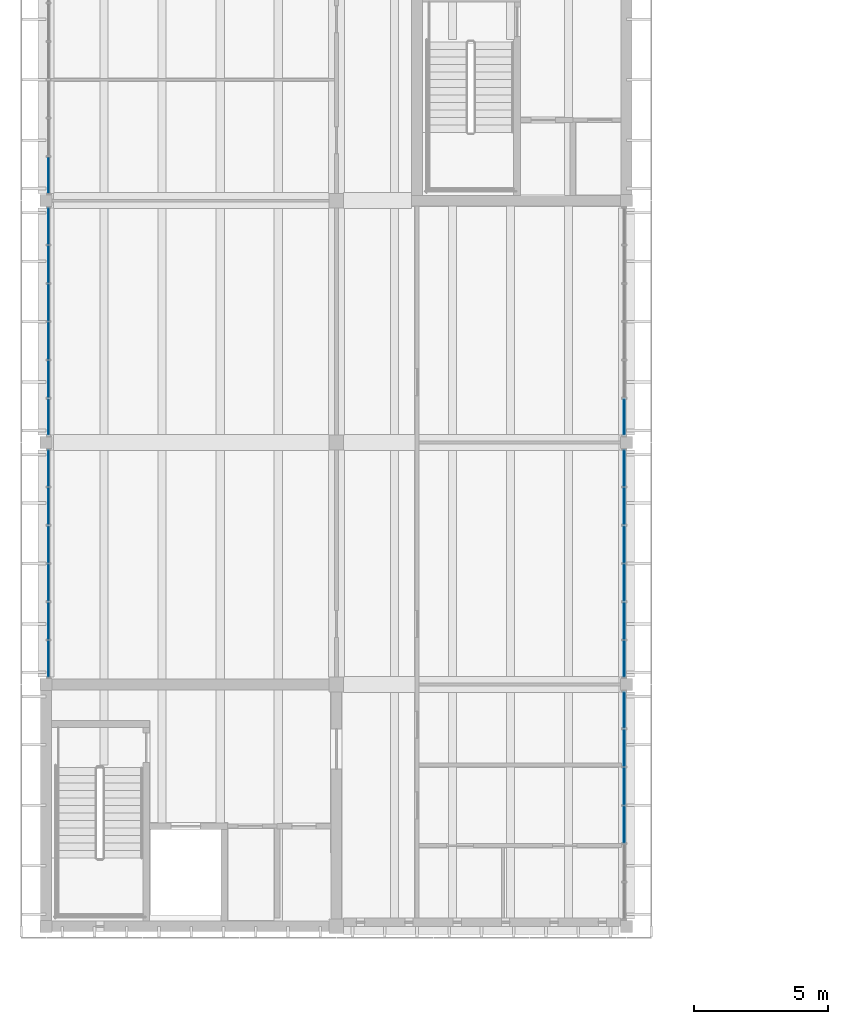
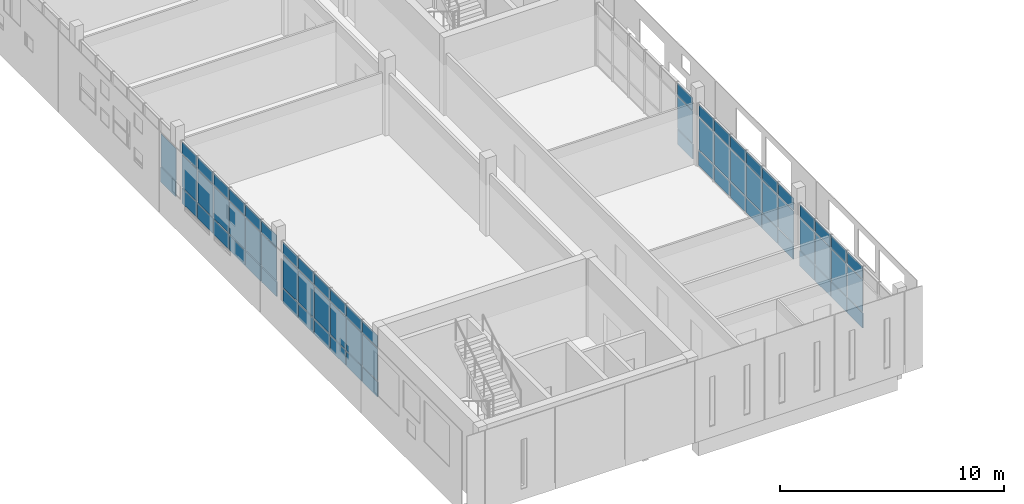
# One storey, part 23 of 50: 71 plates, 6 elements without a shape of their own.
"""IFC4 building model written with IfcOpenShell, lengths in metres."""

from ifc_helpers import new_model, si_unit, direction, frame, origin, origin_2d, place, context, subcontext, project, spatial, rectangle, extrude, material, layer, layer_set, type_object, element, aggregate, save


model = new_model("IFC4")

# Units and contexts
model_context = context("Model", 3, precision=1e-05, world=origin(), true_north=direction((0.0, 1.0)))
body_context = subcontext(model_context, "Body", "Model", "MODEL_VIEW")
ifc_project = project(units=[si_unit("LENGTHUNIT", "METRE"), si_unit("AREAUNIT", "SQUARE_METRE"), si_unit("VOLUMEUNIT", "CUBIC_METRE"), si_unit("PLANEANGLEUNIT", "RADIAN"), si_unit("MASSUNIT", "GRAM", prefix="KILO")], contexts=[model_context])

# Site, building, storey
site_placement = place(None, origin())
site = spatial("IfcSite", under=ifc_project, at=site_placement, CompositionType="ELEMENT")
building_placement = place(site_placement, origin())
building = spatial("IfcBuilding", under=site, at=building_placement, Name="Merrow Basin Faculty of Sciences", CompositionType="ELEMENT")
storey_placement = place(building_placement, frame((0.0, 0.0, 18.0)))
storey = spatial("IfcBuildingStorey", under=building, at=storey_placement, Name="L04", CompositionType="ELEMENT", Elevation=18.0)

# Curtain wall, plates
ifc_material_1 = material(Name="Aluminium alloy 6063", Category="aluminium")
curtain_wall_type = type_object("IfcCurtainWallType", Name="Bar unitised curtain wall 180", PredefinedType="NOTDEFINED", material=ifc_material_1)
curtain_wall_1_placement = place(storey_placement, origin())
curtain_wall_1 = element("IfcCurtainWall", 1, at=curtain_wall_1_placement, inside=storey, type_object=curtain_wall_type, Name="West curtain wall L04 1", PredefinedType="NOTDEFINED")
ifc_material_2 = material(Name="Insulated aluminium spandrel panel", Category="aluminium")
ifc_layer_1 = layer(ifc_material_2, 0.052001953125)
ifc_layer_set_1 = layer_set([ifc_layer_1], Name="Insulated spandrel panel 52")
plate_type_1 = type_object("IfcPlateType", Name="Insulated spandrel panel 52", PredefinedType="CURTAIN_PANEL", material=ifc_layer_set_1)
plate_1_placement = place(storey_placement, frame((0.090087890625, 70.952392578125, 0.06005859375), z_axis=(0.0, 0.0, 1.0), x_axis=(0.0, 1.0, 0.0)))
plate_1 = element("IfcPlate", 2, at=plate_1_placement, type_object=plate_type_1, Name="CW1 panel 1.1", PredefinedType="CURTAIN_PANEL", context=body_context, shape_type="SweptSolid", body=[
    extrude(rectangle(XDim=1.3349609375, YDim=0.052001953125, at=origin_2d()), origin(), (0.0, 0.0, 1.0), 0.81005859375),
])
plate_2_placement = place(storey_placement, frame((0.090087890625, 72.362548828125, 0.06005859375), z_axis=(0.0, 0.0, 1.0), x_axis=(0.0, 1.0, 0.0)))
plate_2 = element("IfcPlate", 3, at=plate_2_placement, type_object=plate_type_1, Name="CW1 panel 2.1", PredefinedType="CURTAIN_PANEL", context=body_context, shape_type="SweptSolid", body=[
    extrude(rectangle(XDim=1.364990234375, YDim=0.052001953125, at=origin_2d()), origin(), (0.0, 0.0, 1.0), 0.81005859375),
])
plate_3_placement = place(storey_placement, frame((0.090087890625, 73.78759765625, 0.06005859375), z_axis=(0.0, 0.0, 1.0), x_axis=(0.0, 1.0, 0.0)))
plate_3 = element("IfcPlate", 4, at=plate_3_placement, type_object=plate_type_1, Name="CW1 panel 3.1", PredefinedType="CURTAIN_PANEL", context=body_context, shape_type="SweptSolid", body=[
    extrude(rectangle(XDim=1.364990234375, YDim=0.052001953125, at=origin_2d()), origin(), (0.0, 0.0, 1.0), 0.81005859375),
])
plate_4_placement = place(storey_placement, frame((0.090087890625, 75.21240234375, 0.06005859375), z_axis=(0.0, 0.0, 1.0), x_axis=(0.0, 1.0, 0.0)))
plate_4 = element("IfcPlate", 5, at=plate_4_placement, type_object=plate_type_1, Name="CW1 panel 4.1", PredefinedType="CURTAIN_PANEL", context=body_context, shape_type="SweptSolid", body=[
    extrude(rectangle(XDim=1.364990234375, YDim=0.052001953125, at=origin_2d()), origin(), (0.0, 0.0, 1.0), 0.81005859375),
])
plate_5_placement = place(storey_placement, frame((0.090087890625, 76.637451171875, 0.06005859375), z_axis=(0.0, 0.0, 1.0), x_axis=(0.0, 1.0, 0.0)))
plate_5 = element("IfcPlate", 6, at=plate_5_placement, type_object=plate_type_1, Name="CW1 panel 5.1", PredefinedType="CURTAIN_PANEL", context=body_context, shape_type="SweptSolid", body=[
    extrude(rectangle(XDim=1.364990234375, YDim=0.052001953125, at=origin_2d()), origin(), (0.0, 0.0, 1.0), 0.81005859375),
])
plate_6_placement = place(storey_placement, frame((0.090087890625, 78.047607421875, 0.06005859375), z_axis=(0.0, 0.0, 1.0), x_axis=(0.0, 1.0, 0.0)))
plate_6 = element("IfcPlate", 7, at=plate_6_placement, type_object=plate_type_1, Name="CW1 panel 6.1", PredefinedType="CURTAIN_PANEL", context=body_context, shape_type="SweptSolid", body=[
    extrude(rectangle(XDim=1.3349609375, YDim=0.052001953125, at=origin_2d()), origin(), (0.0, 0.0, 1.0), 0.81005859375),
])

curtain_wall_2_placement = place(storey_placement, origin())
curtain_wall_2 = element("IfcCurtainWall", 8, at=curtain_wall_2_placement, inside=storey, type_object=curtain_wall_type, Name="West curtain wall L04 2", PredefinedType="NOTDEFINED")
plate_7_placement = place(storey_placement, frame((0.090087890625, 79.952392578125, 0.06005859375), z_axis=(0.0, 0.0, 1.0), x_axis=(0.0, 1.0, 0.0)))
plate_7 = element("IfcPlate", 9, at=plate_7_placement, type_object=plate_type_1, Name="CW1 panel 1.1", PredefinedType="CURTAIN_PANEL", context=body_context, shape_type="SweptSolid", body=[
    extrude(rectangle(XDim=1.3349609375, YDim=0.052001953125, at=origin_2d()), origin(), (0.0, 0.0, 1.0), 0.81005859375),
])
plate_8_placement = place(storey_placement, frame((0.090087890625, 81.362548828125, 0.06005859375), z_axis=(0.0, 0.0, 1.0), x_axis=(0.0, 1.0, 0.0)))
plate_8 = element("IfcPlate", 10, at=plate_8_placement, type_object=plate_type_1, Name="CW1 panel 2.1", PredefinedType="CURTAIN_PANEL", context=body_context, shape_type="SweptSolid", body=[
    extrude(rectangle(XDim=1.364990234375, YDim=0.052001953125, at=origin_2d()), origin(), (0.0, 0.0, 1.0), 0.81005859375),
])
plate_9_placement = place(storey_placement, frame((0.090087890625, 82.78759765625, 0.06005859375), z_axis=(0.0, 0.0, 1.0), x_axis=(0.0, 1.0, 0.0)))
plate_9 = element("IfcPlate", 11, at=plate_9_placement, type_object=plate_type_1, Name="CW1 panel 3.1", PredefinedType="CURTAIN_PANEL", context=body_context, shape_type="SweptSolid", body=[
    extrude(rectangle(XDim=1.364990234375, YDim=0.052001953125, at=origin_2d()), origin(), (0.0, 0.0, 1.0), 0.81005859375),
])
plate_10_placement = place(storey_placement, frame((0.090087890625, 84.21240234375, 0.06005859375), z_axis=(0.0, 0.0, 1.0), x_axis=(0.0, 1.0, 0.0)))
plate_10 = element("IfcPlate", 12, at=plate_10_placement, type_object=plate_type_1, Name="CW1 panel 4.1", PredefinedType="CURTAIN_PANEL", context=body_context, shape_type="SweptSolid", body=[
    extrude(rectangle(XDim=1.364990234375, YDim=0.052001953125, at=origin_2d()), origin(), (0.0, 0.0, 1.0), 0.81005859375),
])
plate_11_placement = place(storey_placement, frame((0.090087890625, 85.637451171875, 0.06005859375), z_axis=(0.0, 0.0, 1.0), x_axis=(0.0, 1.0, 0.0)))
plate_11 = element("IfcPlate", 13, at=plate_11_placement, type_object=plate_type_1, Name="CW1 panel 5.1", PredefinedType="CURTAIN_PANEL", context=body_context, shape_type="SweptSolid", body=[
    extrude(rectangle(XDim=1.364990234375, YDim=0.052001953125, at=origin_2d()), origin(), (0.0, 0.0, 1.0), 0.81005859375),
])
plate_12_placement = place(storey_placement, frame((0.090087890625, 87.047607421875, 0.06005859375), z_axis=(0.0, 0.0, 1.0), x_axis=(0.0, 1.0, 0.0)))
plate_12 = element("IfcPlate", 14, at=plate_12_placement, type_object=plate_type_1, Name="CW1 panel 6.1", PredefinedType="CURTAIN_PANEL", context=body_context, shape_type="SweptSolid", body=[
    extrude(rectangle(XDim=1.3349609375, YDim=0.052001953125, at=origin_2d()), origin(), (0.0, 0.0, 1.0), 0.81005859375),
])

# Curtain wall, plate
curtain_wall_3_placement = place(storey_placement, origin())
curtain_wall_3 = element("IfcCurtainWall", 15, at=curtain_wall_3_placement, inside=storey, type_object=curtain_wall_type, Name="West curtain wall L04 3", PredefinedType="NOTDEFINED")
plate_13_placement = place(storey_placement, frame((0.090087890625, 88.952392578125, 0.06005859375), z_axis=(0.0, 0.0, 1.0), x_axis=(0.0, 1.0, 0.0)))
plate_13 = element("IfcPlate", 16, at=plate_13_placement, type_object=plate_type_1, Name="CW1 panel 1.1", PredefinedType="CURTAIN_PANEL", context=body_context, shape_type="SweptSolid", body=[
    extrude(rectangle(XDim=1.3349609375, YDim=0.052001953125, at=origin_2d()), origin(), (0.0, 0.0, 1.0), 0.81005859375),
])

# Curtain wall, plates
curtain_wall_4_placement = place(storey_placement, origin())
curtain_wall_4 = element("IfcCurtainWall", 17, at=curtain_wall_4_placement, inside=storey, type_object=curtain_wall_type, Name="East curtain wall L04 1", PredefinedType="NOTDEFINED")
plate_14_placement = place(storey_placement, frame((21.510009765625, 64.78759765625, 0.06005859375), z_axis=(0.0, 0.0, 1.0), x_axis=(0.0, 1.0, 0.0)))
plate_14 = element("IfcPlate", 18, at=plate_14_placement, type_object=plate_type_1, Name="CW1 panel 3.1", PredefinedType="CURTAIN_PANEL", context=body_context, shape_type="SweptSolid", body=[
    extrude(rectangle(XDim=1.364990234375, YDim=0.052001953125, at=origin_2d()), origin(), (0.0, 0.0, 1.0), 0.81005859375),
])
plate_15_placement = place(storey_placement, frame((21.510009765625, 66.21240234375, 0.06005859375), z_axis=(0.0, 0.0, 1.0), x_axis=(0.0, 1.0, 0.0)))
plate_15 = element("IfcPlate", 19, at=plate_15_placement, type_object=plate_type_1, Name="CW1 panel 4.1", PredefinedType="CURTAIN_PANEL", context=body_context, shape_type="SweptSolid", body=[
    extrude(rectangle(XDim=1.364990234375, YDim=0.052001953125, at=origin_2d()), origin(), (0.0, 0.0, 1.0), 0.81005859375),
])
plate_16_placement = place(storey_placement, frame((21.510009765625, 67.637451171875, 0.06005859375), z_axis=(0.0, 0.0, 1.0), x_axis=(0.0, 1.0, 0.0)))
plate_16 = element("IfcPlate", 20, at=plate_16_placement, type_object=plate_type_1, Name="CW1 panel 5.1", PredefinedType="CURTAIN_PANEL", context=body_context, shape_type="SweptSolid", body=[
    extrude(rectangle(XDim=1.364990234375, YDim=0.052001953125, at=origin_2d()), origin(), (0.0, 0.0, 1.0), 0.81005859375),
])
plate_17_placement = place(storey_placement, frame((21.510009765625, 69.047607421875, 0.06005859375), z_axis=(0.0, 0.0, 1.0), x_axis=(0.0, 1.0, 0.0)))
plate_17 = element("IfcPlate", 21, at=plate_17_placement, type_object=plate_type_1, Name="CW1 panel 6.1", PredefinedType="CURTAIN_PANEL", context=body_context, shape_type="SweptSolid", body=[
    extrude(rectangle(XDim=1.3349609375, YDim=0.052001953125, at=origin_2d()), origin(), (0.0, 0.0, 1.0), 0.81005859375),
])

curtain_wall_5_placement = place(storey_placement, origin())
curtain_wall_5 = element("IfcCurtainWall", 22, at=curtain_wall_5_placement, inside=storey, type_object=curtain_wall_type, Name="East curtain wall L04 2", PredefinedType="NOTDEFINED")
plate_18_placement = place(storey_placement, frame((21.510009765625, 70.952392578125, 0.06005859375), z_axis=(0.0, 0.0, 1.0), x_axis=(0.0, 1.0, 0.0)))
plate_18 = element("IfcPlate", 23, at=plate_18_placement, type_object=plate_type_1, Name="CW1 panel 1.1", PredefinedType="CURTAIN_PANEL", context=body_context, shape_type="SweptSolid", body=[
    extrude(rectangle(XDim=1.3349609375, YDim=0.052001953125, at=origin_2d()), origin(), (0.0, 0.0, 1.0), 0.81005859375),
])
plate_19_placement = place(storey_placement, frame((21.510009765625, 72.362548828125, 0.06005859375), z_axis=(0.0, 0.0, 1.0), x_axis=(0.0, 1.0, 0.0)))
plate_19 = element("IfcPlate", 24, at=plate_19_placement, type_object=plate_type_1, Name="CW1 panel 2.1", PredefinedType="CURTAIN_PANEL", context=body_context, shape_type="SweptSolid", body=[
    extrude(rectangle(XDim=1.364990234375, YDim=0.052001953125, at=origin_2d()), origin(), (0.0, 0.0, 1.0), 0.81005859375),
])
plate_20_placement = place(storey_placement, frame((21.510009765625, 73.78759765625, 0.06005859375), z_axis=(0.0, 0.0, 1.0), x_axis=(0.0, 1.0, 0.0)))
plate_20 = element("IfcPlate", 25, at=plate_20_placement, type_object=plate_type_1, Name="CW1 panel 3.1", PredefinedType="CURTAIN_PANEL", context=body_context, shape_type="SweptSolid", body=[
    extrude(rectangle(XDim=1.364990234375, YDim=0.052001953125, at=origin_2d()), origin(), (0.0, 0.0, 1.0), 0.81005859375),
])
plate_21_placement = place(storey_placement, frame((21.510009765625, 75.21240234375, 0.06005859375), z_axis=(0.0, 0.0, 1.0), x_axis=(0.0, 1.0, 0.0)))
plate_21 = element("IfcPlate", 26, at=plate_21_placement, type_object=plate_type_1, Name="CW1 panel 4.1", PredefinedType="CURTAIN_PANEL", context=body_context, shape_type="SweptSolid", body=[
    extrude(rectangle(XDim=1.364990234375, YDim=0.052001953125, at=origin_2d()), origin(), (0.0, 0.0, 1.0), 0.81005859375),
])
plate_22_placement = place(storey_placement, frame((21.510009765625, 76.637451171875, 0.06005859375), z_axis=(0.0, 0.0, 1.0), x_axis=(0.0, 1.0, 0.0)))
plate_22 = element("IfcPlate", 27, at=plate_22_placement, type_object=plate_type_1, Name="CW1 panel 5.1", PredefinedType="CURTAIN_PANEL", context=body_context, shape_type="SweptSolid", body=[
    extrude(rectangle(XDim=1.364990234375, YDim=0.052001953125, at=origin_2d()), origin(), (0.0, 0.0, 1.0), 0.81005859375),
])
plate_23_placement = place(storey_placement, frame((21.510009765625, 78.047607421875, 0.06005859375), z_axis=(0.0, 0.0, 1.0), x_axis=(0.0, 1.0, 0.0)))
plate_23 = element("IfcPlate", 28, at=plate_23_placement, type_object=plate_type_1, Name="CW1 panel 6.1", PredefinedType="CURTAIN_PANEL", context=body_context, shape_type="SweptSolid", body=[
    extrude(rectangle(XDim=1.3349609375, YDim=0.052001953125, at=origin_2d()), origin(), (0.0, 0.0, 1.0), 0.81005859375),
])

# Curtain wall, plate
curtain_wall_6_placement = place(storey_placement, origin())
curtain_wall_6 = element("IfcCurtainWall", 29, at=curtain_wall_6_placement, inside=storey, type_object=curtain_wall_type, Name="East curtain wall L04 3", PredefinedType="NOTDEFINED")
plate_24_placement = place(storey_placement, frame((21.510009765625, 79.952392578125, 0.06005859375), z_axis=(0.0, 0.0, 1.0), x_axis=(0.0, 1.0, 0.0)))
plate_24 = element("IfcPlate", 30, at=plate_24_placement, type_object=plate_type_1, Name="CW1 panel 1.1", PredefinedType="CURTAIN_PANEL", context=body_context, shape_type="SweptSolid", body=[
    extrude(rectangle(XDim=1.3349609375, YDim=0.052001953125, at=origin_2d()), origin(), (0.0, 0.0, 1.0), 0.81005859375),
])

# Plate
ifc_material_3 = material(Name="Low-E double glazing", Category="glass")
ifc_layer_2 = layer(ifc_material_3, 0.028076171875)
ifc_layer_set_2 = layer_set([ifc_layer_2], Name="Low-E double glazed panel 28")
plate_type_2 = type_object("IfcPlateType", Name="Low-E double glazed panel 28", PredefinedType="CURTAIN_PANEL", material=ifc_layer_set_2)
plate_25_placement = place(storey_placement, frame((0.090087890625, 70.952392578125, 0.93017578125), z_axis=(0.0, 0.0, 1.0), x_axis=(0.0, 1.0, 0.0)))
plate_25 = element("IfcPlate", 31, at=plate_25_placement, type_object=plate_type_2, Name="CW1 panel 1.2", PredefinedType="CURTAIN_PANEL", context=body_context, shape_type="SweptSolid", body=[
    extrude(rectangle(XDim=1.3349609375, YDim=0.028076171875, at=origin_2d()), origin(), (0.0, 0.0, 1.0), 1.739990234375),
])

plate_26_placement = place(storey_placement, frame((0.090087890625, 70.952392578125, 2.72998046875), z_axis=(0.0, 0.0, 1.0), x_axis=(0.0, 1.0, 0.0)))
plate_26 = element("IfcPlate", 32, at=plate_26_placement, type_object=plate_type_2, Name="CW1 panel 1.3", PredefinedType="CURTAIN_PANEL", context=body_context, shape_type="SweptSolid", body=[
    extrude(rectangle(XDim=1.3349609375, YDim=0.028076171875, at=origin_2d()), origin(), (0.0, 0.0, 1.0), 0.659912109375),
])

plate_27_placement = place(storey_placement, frame((0.090087890625, 72.362548828125, 0.93017578125), z_axis=(0.0, 0.0, 1.0), x_axis=(0.0, 1.0, 0.0)))
plate_27 = element("IfcPlate", 33, at=plate_27_placement, type_object=plate_type_2, Name="CW1 panel 2.2", PredefinedType="CURTAIN_PANEL", context=body_context, shape_type="SweptSolid", body=[
    extrude(rectangle(XDim=1.364990234375, YDim=0.028076171875, at=origin_2d()), origin(), (0.0, 0.0, 1.0), 1.739990234375),
])

plate_28_placement = place(storey_placement, frame((0.090087890625, 72.362548828125, 2.72998046875), z_axis=(0.0, 0.0, 1.0), x_axis=(0.0, 1.0, 0.0)))
plate_28 = element("IfcPlate", 34, at=plate_28_placement, type_object=plate_type_2, Name="CW1 panel 2.3", PredefinedType="CURTAIN_PANEL", context=body_context, shape_type="SweptSolid", body=[
    extrude(rectangle(XDim=1.364990234375, YDim=0.028076171875, at=origin_2d()), origin(), (0.0, 0.0, 1.0), 0.659912109375),
])

plate_29_placement = place(storey_placement, frame((0.090087890625, 73.78759765625, 0.93017578125), z_axis=(0.0, 0.0, 1.0), x_axis=(0.0, 1.0, 0.0)))
plate_29 = element("IfcPlate", 35, at=plate_29_placement, type_object=plate_type_2, Name="CW1 panel 3.2", PredefinedType="CURTAIN_PANEL", context=body_context, shape_type="SweptSolid", body=[
    extrude(rectangle(XDim=1.364990234375, YDim=0.028076171875, at=origin_2d()), origin(), (0.0, 0.0, 1.0), 1.739990234375),
])

plate_30_placement = place(storey_placement, frame((0.090087890625, 73.78759765625, 2.72998046875), z_axis=(0.0, 0.0, 1.0), x_axis=(0.0, 1.0, 0.0)))
plate_30 = element("IfcPlate", 36, at=plate_30_placement, type_object=plate_type_2, Name="CW1 panel 3.3", PredefinedType="CURTAIN_PANEL", context=body_context, shape_type="SweptSolid", body=[
    extrude(rectangle(XDim=1.364990234375, YDim=0.028076171875, at=origin_2d()), origin(), (0.0, 0.0, 1.0), 0.659912109375),
])

plate_31_placement = place(storey_placement, frame((0.090087890625, 75.21240234375, 0.93017578125), z_axis=(0.0, 0.0, 1.0), x_axis=(0.0, 1.0, 0.0)))
plate_31 = element("IfcPlate", 37, at=plate_31_placement, type_object=plate_type_2, Name="CW1 panel 4.2", PredefinedType="CURTAIN_PANEL", context=body_context, shape_type="SweptSolid", body=[
    extrude(rectangle(XDim=1.364990234375, YDim=0.028076171875, at=origin_2d()), origin(), (0.0, 0.0, 1.0), 1.739990234375),
])

plate_32_placement = place(storey_placement, frame((0.090087890625, 75.21240234375, 2.72998046875), z_axis=(0.0, 0.0, 1.0), x_axis=(0.0, 1.0, 0.0)))
plate_32 = element("IfcPlate", 38, at=plate_32_placement, type_object=plate_type_2, Name="CW1 panel 4.3", PredefinedType="CURTAIN_PANEL", context=body_context, shape_type="SweptSolid", body=[
    extrude(rectangle(XDim=1.364990234375, YDim=0.028076171875, at=origin_2d()), origin(), (0.0, 0.0, 1.0), 0.659912109375),
])

plate_33_placement = place(storey_placement, frame((0.090087890625, 76.637451171875, 0.93017578125), z_axis=(0.0, 0.0, 1.0), x_axis=(0.0, 1.0, 0.0)))
plate_33 = element("IfcPlate", 39, at=plate_33_placement, type_object=plate_type_2, Name="CW1 panel 5.2", PredefinedType="CURTAIN_PANEL", context=body_context, shape_type="SweptSolid", body=[
    extrude(rectangle(XDim=1.364990234375, YDim=0.028076171875, at=origin_2d()), origin(), (0.0, 0.0, 1.0), 1.739990234375),
])

plate_34_placement = place(storey_placement, frame((0.090087890625, 76.637451171875, 2.72998046875), z_axis=(0.0, 0.0, 1.0), x_axis=(0.0, 1.0, 0.0)))
plate_34 = element("IfcPlate", 40, at=plate_34_placement, type_object=plate_type_2, Name="CW1 panel 5.3", PredefinedType="CURTAIN_PANEL", context=body_context, shape_type="SweptSolid", body=[
    extrude(rectangle(XDim=1.364990234375, YDim=0.028076171875, at=origin_2d()), origin(), (0.0, 0.0, 1.0), 0.659912109375),
])

plate_35_placement = place(storey_placement, frame((0.090087890625, 78.047607421875, 0.93017578125), z_axis=(0.0, 0.0, 1.0), x_axis=(0.0, 1.0, 0.0)))
plate_35 = element("IfcPlate", 41, at=plate_35_placement, type_object=plate_type_2, Name="CW1 panel 6.2", PredefinedType="CURTAIN_PANEL", context=body_context, shape_type="SweptSolid", body=[
    extrude(rectangle(XDim=1.3349609375, YDim=0.028076171875, at=origin_2d()), origin(), (0.0, 0.0, 1.0), 1.739990234375),
])

plate_36_placement = place(storey_placement, frame((0.090087890625, 78.047607421875, 2.72998046875), z_axis=(0.0, 0.0, 1.0), x_axis=(0.0, 1.0, 0.0)))
plate_36 = element("IfcPlate", 42, at=plate_36_placement, type_object=plate_type_2, Name="CW1 panel 6.3", PredefinedType="CURTAIN_PANEL", context=body_context, shape_type="SweptSolid", body=[
    extrude(rectangle(XDim=1.3349609375, YDim=0.028076171875, at=origin_2d()), origin(), (0.0, 0.0, 1.0), 0.659912109375),
])

aggregate(curtain_wall_1, [plate_1, plate_25, plate_26, plate_2, plate_27, plate_28, plate_3, plate_29, plate_30, plate_4, plate_31, plate_32, plate_5, plate_33, plate_34, plate_6, plate_35, plate_36])

plate_37_placement = place(storey_placement, frame((0.090087890625, 79.952392578125, 0.93017578125), z_axis=(0.0, 0.0, 1.0), x_axis=(0.0, 1.0, 0.0)))
plate_37 = element("IfcPlate", 43, at=plate_37_placement, type_object=plate_type_2, Name="CW1 panel 1.2", PredefinedType="CURTAIN_PANEL", context=body_context, shape_type="SweptSolid", body=[
    extrude(rectangle(XDim=1.3349609375, YDim=0.028076171875, at=origin_2d()), origin(), (0.0, 0.0, 1.0), 1.739990234375),
])

plate_38_placement = place(storey_placement, frame((0.090087890625, 79.952392578125, 2.72998046875), z_axis=(0.0, 0.0, 1.0), x_axis=(0.0, 1.0, 0.0)))
plate_38 = element("IfcPlate", 44, at=plate_38_placement, type_object=plate_type_2, Name="CW1 panel 1.3", PredefinedType="CURTAIN_PANEL", context=body_context, shape_type="SweptSolid", body=[
    extrude(rectangle(XDim=1.3349609375, YDim=0.028076171875, at=origin_2d()), origin(), (0.0, 0.0, 1.0), 0.659912109375),
])

plate_39_placement = place(storey_placement, frame((0.090087890625, 81.362548828125, 0.93017578125), z_axis=(0.0, 0.0, 1.0), x_axis=(0.0, 1.0, 0.0)))
plate_39 = element("IfcPlate", 45, at=plate_39_placement, type_object=plate_type_2, Name="CW1 panel 2.2", PredefinedType="CURTAIN_PANEL", context=body_context, shape_type="SweptSolid", body=[
    extrude(rectangle(XDim=1.364990234375, YDim=0.028076171875, at=origin_2d()), origin(), (0.0, 0.0, 1.0), 1.739990234375),
])

plate_40_placement = place(storey_placement, frame((0.090087890625, 81.362548828125, 2.72998046875), z_axis=(0.0, 0.0, 1.0), x_axis=(0.0, 1.0, 0.0)))
plate_40 = element("IfcPlate", 46, at=plate_40_placement, type_object=plate_type_2, Name="CW1 panel 2.3", PredefinedType="CURTAIN_PANEL", context=body_context, shape_type="SweptSolid", body=[
    extrude(rectangle(XDim=1.364990234375, YDim=0.028076171875, at=origin_2d()), origin(), (0.0, 0.0, 1.0), 0.659912109375),
])

plate_41_placement = place(storey_placement, frame((0.090087890625, 82.78759765625, 0.93017578125), z_axis=(0.0, 0.0, 1.0), x_axis=(0.0, 1.0, 0.0)))
plate_41 = element("IfcPlate", 47, at=plate_41_placement, type_object=plate_type_2, Name="CW1 panel 3.2", PredefinedType="CURTAIN_PANEL", context=body_context, shape_type="SweptSolid", body=[
    extrude(rectangle(XDim=1.364990234375, YDim=0.028076171875, at=origin_2d()), origin(), (0.0, 0.0, 1.0), 1.739990234375),
])

plate_42_placement = place(storey_placement, frame((0.090087890625, 82.78759765625, 2.72998046875), z_axis=(0.0, 0.0, 1.0), x_axis=(0.0, 1.0, 0.0)))
plate_42 = element("IfcPlate", 48, at=plate_42_placement, type_object=plate_type_2, Name="CW1 panel 3.3", PredefinedType="CURTAIN_PANEL", context=body_context, shape_type="SweptSolid", body=[
    extrude(rectangle(XDim=1.364990234375, YDim=0.028076171875, at=origin_2d()), origin(), (0.0, 0.0, 1.0), 0.659912109375),
])

plate_43_placement = place(storey_placement, frame((0.090087890625, 84.21240234375, 0.93017578125), z_axis=(0.0, 0.0, 1.0), x_axis=(0.0, 1.0, 0.0)))
plate_43 = element("IfcPlate", 49, at=plate_43_placement, type_object=plate_type_2, Name="CW1 panel 4.2", PredefinedType="CURTAIN_PANEL", context=body_context, shape_type="SweptSolid", body=[
    extrude(rectangle(XDim=1.364990234375, YDim=0.028076171875, at=origin_2d()), origin(), (0.0, 0.0, 1.0), 1.739990234375),
])

plate_44_placement = place(storey_placement, frame((0.090087890625, 84.21240234375, 2.72998046875), z_axis=(0.0, 0.0, 1.0), x_axis=(0.0, 1.0, 0.0)))
plate_44 = element("IfcPlate", 50, at=plate_44_placement, type_object=plate_type_2, Name="CW1 panel 4.3", PredefinedType="CURTAIN_PANEL", context=body_context, shape_type="SweptSolid", body=[
    extrude(rectangle(XDim=1.364990234375, YDim=0.028076171875, at=origin_2d()), origin(), (0.0, 0.0, 1.0), 0.659912109375),
])

plate_45_placement = place(storey_placement, frame((0.090087890625, 85.637451171875, 0.93017578125), z_axis=(0.0, 0.0, 1.0), x_axis=(0.0, 1.0, 0.0)))
plate_45 = element("IfcPlate", 51, at=plate_45_placement, type_object=plate_type_2, Name="CW1 panel 5.2", PredefinedType="CURTAIN_PANEL", context=body_context, shape_type="SweptSolid", body=[
    extrude(rectangle(XDim=1.364990234375, YDim=0.028076171875, at=origin_2d()), origin(), (0.0, 0.0, 1.0), 1.739990234375),
])

plate_46_placement = place(storey_placement, frame((0.090087890625, 85.637451171875, 2.72998046875), z_axis=(0.0, 0.0, 1.0), x_axis=(0.0, 1.0, 0.0)))
plate_46 = element("IfcPlate", 52, at=plate_46_placement, type_object=plate_type_2, Name="CW1 panel 5.3", PredefinedType="CURTAIN_PANEL", context=body_context, shape_type="SweptSolid", body=[
    extrude(rectangle(XDim=1.364990234375, YDim=0.028076171875, at=origin_2d()), origin(), (0.0, 0.0, 1.0), 0.659912109375),
])

plate_47_placement = place(storey_placement, frame((0.090087890625, 87.047607421875, 0.93017578125), z_axis=(0.0, 0.0, 1.0), x_axis=(0.0, 1.0, 0.0)))
plate_47 = element("IfcPlate", 53, at=plate_47_placement, type_object=plate_type_2, Name="CW1 panel 6.2", PredefinedType="CURTAIN_PANEL", context=body_context, shape_type="SweptSolid", body=[
    extrude(rectangle(XDim=1.3349609375, YDim=0.028076171875, at=origin_2d()), origin(), (0.0, 0.0, 1.0), 1.739990234375),
])

plate_48_placement = place(storey_placement, frame((0.090087890625, 87.047607421875, 2.72998046875), z_axis=(0.0, 0.0, 1.0), x_axis=(0.0, 1.0, 0.0)))
plate_48 = element("IfcPlate", 54, at=plate_48_placement, type_object=plate_type_2, Name="CW1 panel 6.3", PredefinedType="CURTAIN_PANEL", context=body_context, shape_type="SweptSolid", body=[
    extrude(rectangle(XDim=1.3349609375, YDim=0.028076171875, at=origin_2d()), origin(), (0.0, 0.0, 1.0), 0.659912109375),
])

aggregate(curtain_wall_2, [plate_7, plate_37, plate_38, plate_8, plate_39, plate_40, plate_9, plate_41, plate_42, plate_10, plate_43, plate_44, plate_11, plate_45, plate_46, plate_12, plate_47, plate_48])

plate_49_placement = place(storey_placement, frame((0.090087890625, 88.952392578125, 0.93017578125), z_axis=(0.0, 0.0, 1.0), x_axis=(0.0, 1.0, 0.0)))
plate_49 = element("IfcPlate", 55, at=plate_49_placement, type_object=plate_type_2, Name="CW1 panel 1.2", PredefinedType="CURTAIN_PANEL", context=body_context, shape_type="SweptSolid", body=[
    extrude(rectangle(XDim=1.3349609375, YDim=0.028076171875, at=origin_2d()), origin(), (0.0, 0.0, 1.0), 1.739990234375),
])

aggregate(curtain_wall_3, [plate_13, plate_49])

plate_50_placement = place(storey_placement, frame((21.510009765625, 64.78759765625, 0.93017578125), z_axis=(0.0, 0.0, 1.0), x_axis=(0.0, 1.0, 0.0)))
plate_50 = element("IfcPlate", 56, at=plate_50_placement, type_object=plate_type_2, Name="CW1 panel 3.2", PredefinedType="CURTAIN_PANEL", context=body_context, shape_type="SweptSolid", body=[
    extrude(rectangle(XDim=1.364990234375, YDim=0.028076171875, at=origin_2d()), origin(), (0.0, 0.0, 1.0), 1.739990234375),
])

plate_51_placement = place(storey_placement, frame((21.510009765625, 64.78759765625, 2.72998046875), z_axis=(0.0, 0.0, 1.0), x_axis=(0.0, 1.0, 0.0)))
plate_51 = element("IfcPlate", 57, at=plate_51_placement, type_object=plate_type_2, Name="CW1 panel 3.3", PredefinedType="CURTAIN_PANEL", context=body_context, shape_type="SweptSolid", body=[
    extrude(rectangle(XDim=1.364990234375, YDim=0.028076171875, at=origin_2d()), origin(), (0.0, 0.0, 1.0), 0.659912109375),
])

plate_52_placement = place(storey_placement, frame((21.510009765625, 66.21240234375, 0.93017578125), z_axis=(0.0, 0.0, 1.0), x_axis=(0.0, 1.0, 0.0)))
plate_52 = element("IfcPlate", 58, at=plate_52_placement, type_object=plate_type_2, Name="CW1 panel 4.2", PredefinedType="CURTAIN_PANEL", context=body_context, shape_type="SweptSolid", body=[
    extrude(rectangle(XDim=1.364990234375, YDim=0.028076171875, at=origin_2d()), origin(), (0.0, 0.0, 1.0), 1.739990234375),
])

plate_53_placement = place(storey_placement, frame((21.510009765625, 66.21240234375, 2.72998046875), z_axis=(0.0, 0.0, 1.0), x_axis=(0.0, 1.0, 0.0)))
plate_53 = element("IfcPlate", 59, at=plate_53_placement, type_object=plate_type_2, Name="CW1 panel 4.3", PredefinedType="CURTAIN_PANEL", context=body_context, shape_type="SweptSolid", body=[
    extrude(rectangle(XDim=1.364990234375, YDim=0.028076171875, at=origin_2d()), origin(), (0.0, 0.0, 1.0), 0.659912109375),
])

plate_54_placement = place(storey_placement, frame((21.510009765625, 67.637451171875, 0.93017578125), z_axis=(0.0, 0.0, 1.0), x_axis=(0.0, 1.0, 0.0)))
plate_54 = element("IfcPlate", 60, at=plate_54_placement, type_object=plate_type_2, Name="CW1 panel 5.2", PredefinedType="CURTAIN_PANEL", context=body_context, shape_type="SweptSolid", body=[
    extrude(rectangle(XDim=1.364990234375, YDim=0.028076171875, at=origin_2d()), origin(), (0.0, 0.0, 1.0), 1.739990234375),
])

plate_55_placement = place(storey_placement, frame((21.510009765625, 67.637451171875, 2.72998046875), z_axis=(0.0, 0.0, 1.0), x_axis=(0.0, 1.0, 0.0)))
plate_55 = element("IfcPlate", 61, at=plate_55_placement, type_object=plate_type_2, Name="CW1 panel 5.3", PredefinedType="CURTAIN_PANEL", context=body_context, shape_type="SweptSolid", body=[
    extrude(rectangle(XDim=1.364990234375, YDim=0.028076171875, at=origin_2d()), origin(), (0.0, 0.0, 1.0), 0.659912109375),
])

plate_56_placement = place(storey_placement, frame((21.510009765625, 69.047607421875, 0.93017578125), z_axis=(0.0, 0.0, 1.0), x_axis=(0.0, 1.0, 0.0)))
plate_56 = element("IfcPlate", 62, at=plate_56_placement, type_object=plate_type_2, Name="CW1 panel 6.2", PredefinedType="CURTAIN_PANEL", context=body_context, shape_type="SweptSolid", body=[
    extrude(rectangle(XDim=1.3349609375, YDim=0.028076171875, at=origin_2d()), origin(), (0.0, 0.0, 1.0), 1.739990234375),
])

plate_57_placement = place(storey_placement, frame((21.510009765625, 69.047607421875, 2.72998046875), z_axis=(0.0, 0.0, 1.0), x_axis=(0.0, 1.0, 0.0)))
plate_57 = element("IfcPlate", 63, at=plate_57_placement, type_object=plate_type_2, Name="CW1 panel 6.3", PredefinedType="CURTAIN_PANEL", context=body_context, shape_type="SweptSolid", body=[
    extrude(rectangle(XDim=1.3349609375, YDim=0.028076171875, at=origin_2d()), origin(), (0.0, 0.0, 1.0), 0.659912109375),
])

aggregate(curtain_wall_4, [plate_14, plate_50, plate_51, plate_15, plate_52, plate_53, plate_16, plate_54, plate_55, plate_17, plate_56, plate_57])

plate_58_placement = place(storey_placement, frame((21.510009765625, 70.952392578125, 0.93017578125), z_axis=(0.0, 0.0, 1.0), x_axis=(0.0, 1.0, 0.0)))
plate_58 = element("IfcPlate", 64, at=plate_58_placement, type_object=plate_type_2, Name="CW1 panel 1.2", PredefinedType="CURTAIN_PANEL", context=body_context, shape_type="SweptSolid", body=[
    extrude(rectangle(XDim=1.3349609375, YDim=0.028076171875, at=origin_2d()), origin(), (0.0, 0.0, 1.0), 1.739990234375),
])

plate_59_placement = place(storey_placement, frame((21.510009765625, 70.952392578125, 2.72998046875), z_axis=(0.0, 0.0, 1.0), x_axis=(0.0, 1.0, 0.0)))
plate_59 = element("IfcPlate", 65, at=plate_59_placement, type_object=plate_type_2, Name="CW1 panel 1.3", PredefinedType="CURTAIN_PANEL", context=body_context, shape_type="SweptSolid", body=[
    extrude(rectangle(XDim=1.3349609375, YDim=0.028076171875, at=origin_2d()), origin(), (0.0, 0.0, 1.0), 0.659912109375),
])

plate_60_placement = place(storey_placement, frame((21.510009765625, 72.362548828125, 0.93017578125), z_axis=(0.0, 0.0, 1.0), x_axis=(0.0, 1.0, 0.0)))
plate_60 = element("IfcPlate", 66, at=plate_60_placement, type_object=plate_type_2, Name="CW1 panel 2.2", PredefinedType="CURTAIN_PANEL", context=body_context, shape_type="SweptSolid", body=[
    extrude(rectangle(XDim=1.364990234375, YDim=0.028076171875, at=origin_2d()), origin(), (0.0, 0.0, 1.0), 1.739990234375),
])

plate_61_placement = place(storey_placement, frame((21.510009765625, 72.362548828125, 2.72998046875), z_axis=(0.0, 0.0, 1.0), x_axis=(0.0, 1.0, 0.0)))
plate_61 = element("IfcPlate", 67, at=plate_61_placement, type_object=plate_type_2, Name="CW1 panel 2.3", PredefinedType="CURTAIN_PANEL", context=body_context, shape_type="SweptSolid", body=[
    extrude(rectangle(XDim=1.364990234375, YDim=0.028076171875, at=origin_2d()), origin(), (0.0, 0.0, 1.0), 0.659912109375),
])

plate_62_placement = place(storey_placement, frame((21.510009765625, 73.78759765625, 0.93017578125), z_axis=(0.0, 0.0, 1.0), x_axis=(0.0, 1.0, 0.0)))
plate_62 = element("IfcPlate", 68, at=plate_62_placement, type_object=plate_type_2, Name="CW1 panel 3.2", PredefinedType="CURTAIN_PANEL", context=body_context, shape_type="SweptSolid", body=[
    extrude(rectangle(XDim=1.364990234375, YDim=0.028076171875, at=origin_2d()), origin(), (0.0, 0.0, 1.0), 1.739990234375),
])

plate_63_placement = place(storey_placement, frame((21.510009765625, 73.78759765625, 2.72998046875), z_axis=(0.0, 0.0, 1.0), x_axis=(0.0, 1.0, 0.0)))
plate_63 = element("IfcPlate", 69, at=plate_63_placement, type_object=plate_type_2, Name="CW1 panel 3.3", PredefinedType="CURTAIN_PANEL", context=body_context, shape_type="SweptSolid", body=[
    extrude(rectangle(XDim=1.364990234375, YDim=0.028076171875, at=origin_2d()), origin(), (0.0, 0.0, 1.0), 0.659912109375),
])

plate_64_placement = place(storey_placement, frame((21.510009765625, 75.21240234375, 0.93017578125), z_axis=(0.0, 0.0, 1.0), x_axis=(0.0, 1.0, 0.0)))
plate_64 = element("IfcPlate", 70, at=plate_64_placement, type_object=plate_type_2, Name="CW1 panel 4.2", PredefinedType="CURTAIN_PANEL", context=body_context, shape_type="SweptSolid", body=[
    extrude(rectangle(XDim=1.364990234375, YDim=0.028076171875, at=origin_2d()), origin(), (0.0, 0.0, 1.0), 1.739990234375),
])

plate_65_placement = place(storey_placement, frame((21.510009765625, 75.21240234375, 2.72998046875), z_axis=(0.0, 0.0, 1.0), x_axis=(0.0, 1.0, 0.0)))
plate_65 = element("IfcPlate", 71, at=plate_65_placement, type_object=plate_type_2, Name="CW1 panel 4.3", PredefinedType="CURTAIN_PANEL", context=body_context, shape_type="SweptSolid", body=[
    extrude(rectangle(XDim=1.364990234375, YDim=0.028076171875, at=origin_2d()), origin(), (0.0, 0.0, 1.0), 0.659912109375),
])

plate_66_placement = place(storey_placement, frame((21.510009765625, 76.637451171875, 0.93017578125), z_axis=(0.0, 0.0, 1.0), x_axis=(0.0, 1.0, 0.0)))
plate_66 = element("IfcPlate", 72, at=plate_66_placement, type_object=plate_type_2, Name="CW1 panel 5.2", PredefinedType="CURTAIN_PANEL", context=body_context, shape_type="SweptSolid", body=[
    extrude(rectangle(XDim=1.364990234375, YDim=0.028076171875, at=origin_2d()), origin(), (0.0, 0.0, 1.0), 1.739990234375),
])

plate_67_placement = place(storey_placement, frame((21.510009765625, 76.637451171875, 2.72998046875), z_axis=(0.0, 0.0, 1.0), x_axis=(0.0, 1.0, 0.0)))
plate_67 = element("IfcPlate", 73, at=plate_67_placement, type_object=plate_type_2, Name="CW1 panel 5.3", PredefinedType="CURTAIN_PANEL", context=body_context, shape_type="SweptSolid", body=[
    extrude(rectangle(XDim=1.364990234375, YDim=0.028076171875, at=origin_2d()), origin(), (0.0, 0.0, 1.0), 0.659912109375),
])

plate_68_placement = place(storey_placement, frame((21.510009765625, 78.047607421875, 0.93017578125), z_axis=(0.0, 0.0, 1.0), x_axis=(0.0, 1.0, 0.0)))
plate_68 = element("IfcPlate", 74, at=plate_68_placement, type_object=plate_type_2, Name="CW1 panel 6.2", PredefinedType="CURTAIN_PANEL", context=body_context, shape_type="SweptSolid", body=[
    extrude(rectangle(XDim=1.3349609375, YDim=0.028076171875, at=origin_2d()), origin(), (0.0, 0.0, 1.0), 1.739990234375),
])

plate_69_placement = place(storey_placement, frame((21.510009765625, 78.047607421875, 2.72998046875), z_axis=(0.0, 0.0, 1.0), x_axis=(0.0, 1.0, 0.0)))
plate_69 = element("IfcPlate", 75, at=plate_69_placement, type_object=plate_type_2, Name="CW1 panel 6.3", PredefinedType="CURTAIN_PANEL", context=body_context, shape_type="SweptSolid", body=[
    extrude(rectangle(XDim=1.3349609375, YDim=0.028076171875, at=origin_2d()), origin(), (0.0, 0.0, 1.0), 0.659912109375),
])

aggregate(curtain_wall_5, [plate_18, plate_58, plate_59, plate_19, plate_60, plate_61, plate_20, plate_62, plate_63, plate_21, plate_64, plate_65, plate_22, plate_66, plate_67, plate_23, plate_68, plate_69])

plate_70_placement = place(storey_placement, frame((21.510009765625, 79.952392578125, 0.93017578125), z_axis=(0.0, 0.0, 1.0), x_axis=(0.0, 1.0, 0.0)))
plate_70 = element("IfcPlate", 76, at=plate_70_placement, type_object=plate_type_2, Name="CW1 panel 1.2", PredefinedType="CURTAIN_PANEL", context=body_context, shape_type="SweptSolid", body=[
    extrude(rectangle(XDim=1.3349609375, YDim=0.028076171875, at=origin_2d()), origin(), (0.0, 0.0, 1.0), 1.739990234375),
])

plate_71_placement = place(storey_placement, frame((21.510009765625, 79.952392578125, 2.72998046875), z_axis=(0.0, 0.0, 1.0), x_axis=(0.0, 1.0, 0.0)))
plate_71 = element("IfcPlate", 77, at=plate_71_placement, type_object=plate_type_2, Name="CW1 panel 1.3", PredefinedType="CURTAIN_PANEL", context=body_context, shape_type="SweptSolid", body=[
    extrude(rectangle(XDim=1.3349609375, YDim=0.028076171875, at=origin_2d()), origin(), (0.0, 0.0, 1.0), 0.659912109375),
])

aggregate(curtain_wall_6, [plate_24, plate_70, plate_71])

save(model, "model.ifc")
